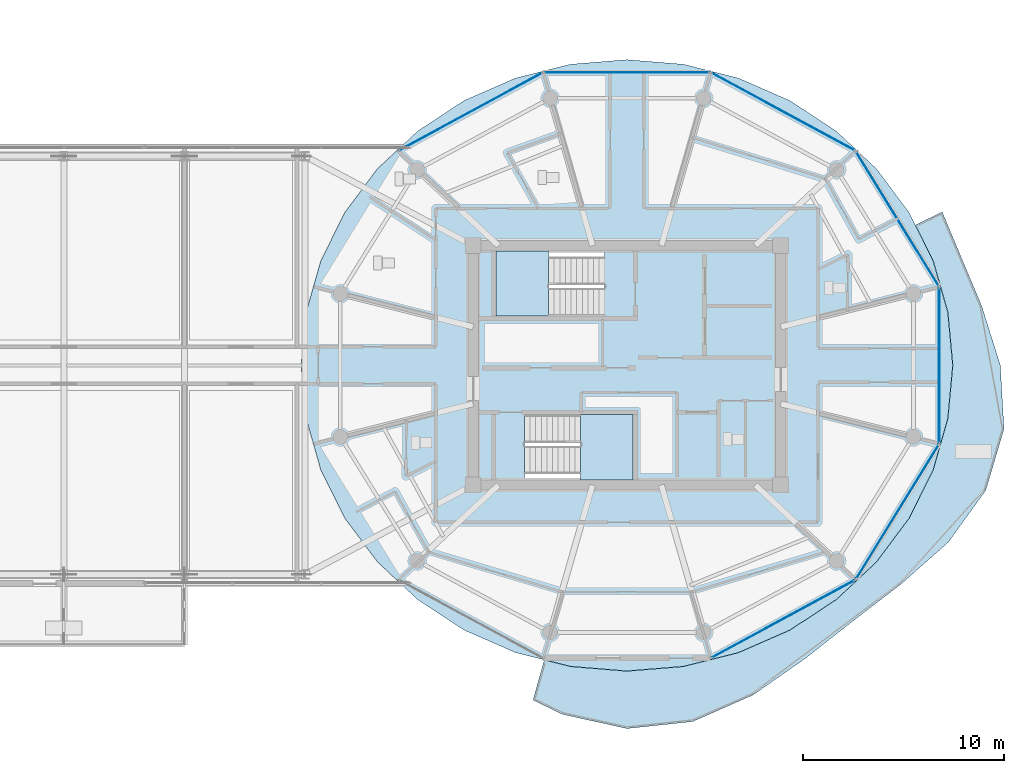
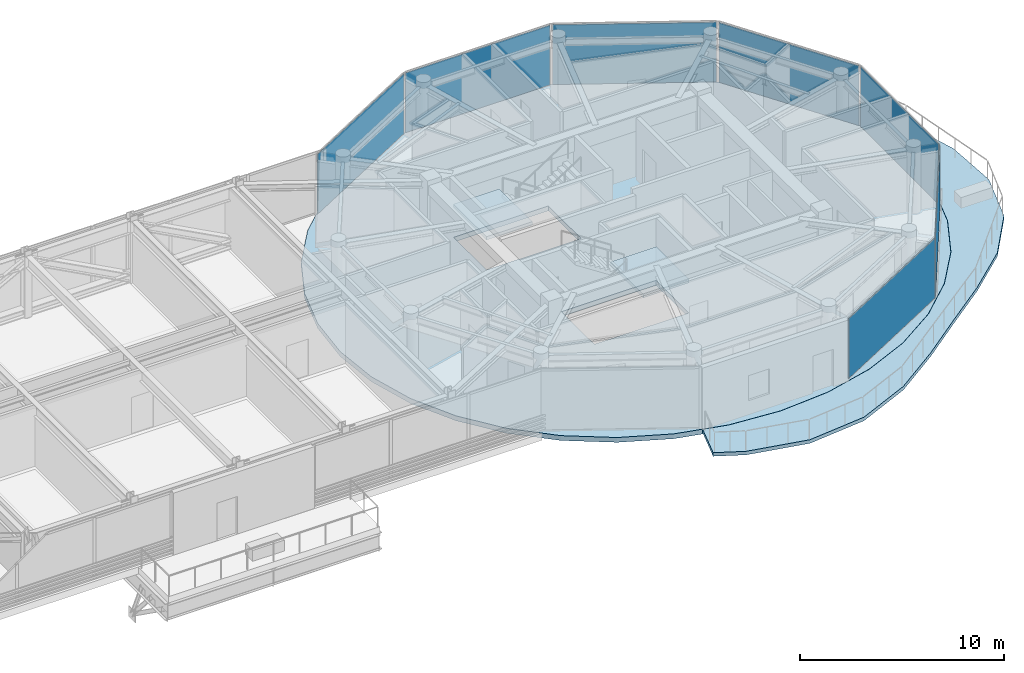
# One storey, part 12 of 31: 7 plates, 4 slabs, 9 elements without a shape of their own.
"""IFC4 building model written with IfcOpenShell, lengths in metres."""

from ifc_helpers import new_model, si_unit, direction, frame, origin, origin_2d, place, context, subcontext, project, spatial, polyline, rectangle, outline, extrude, source, transform, mapped, material, layer, layer_set, type_object, type_shapes, element, aggregate, save


model = new_model("IFC4")

# Units and contexts
model_context = context("Model", 3, precision=1e-05, world=origin(), true_north=direction((0.0, 1.0)))
body_context = subcontext(model_context, "Body", "Model", "MODEL_VIEW")
ifc_project = project(units=[si_unit("LENGTHUNIT", "METRE"), si_unit("AREAUNIT", "SQUARE_METRE"), si_unit("VOLUMEUNIT", "CUBIC_METRE"), si_unit("PLANEANGLEUNIT", "RADIAN"), si_unit("MASSUNIT", "GRAM", prefix="KILO")], contexts=[model_context])

# Site, building, storey
site_placement = place(None, origin())
site = spatial("IfcSite", under=ifc_project, at=site_placement, CompositionType="ELEMENT")
building_placement = place(site_placement, origin())
building = spatial("IfcBuilding", under=site, at=building_placement, Name="Norrkilde Senior Care Towers", CompositionType="ELEMENT")
storey_placement = place(building_placement, frame((0.0, 0.0, 199.800048828125)))
storey = spatial("IfcBuildingStorey", under=building, at=storey_placement, Name="L62", CompositionType="ELEMENT", Elevation=199.800048828125)

# Slabs
ifc_material_1 = material(Name="Concrete C50/60", Category="concrete")
ifc_layer_1 = layer(ifc_material_1, 0.2900390625)
ifc_layer_set_1 = layer_set([ifc_layer_1], Name="Concrete C50/60")
slab_type_1 = type_object("IfcSlabType", Name="Bridge Floor Slab 290", PredefinedType="FLOOR", material=ifc_layer_set_1)
slab_1_placement = place(storey_placement, frame((0.0, 0.0, -0.2900390625)))
element("IfcSlab", 1, at=slab_1_placement, inside=storey, type_object=slab_type_1, Name="L62 Drum E Structural Floor Slab", PredefinedType="FLOOR", context=body_context, shape_type="SweptSolid", body=[
    extrude(outline(polyline([(43.222900390625, -5.19873046875), (42.029541015625, -7.60009765625), (40.409912109375, -9.770263671875), (38.4130859375, -11.643798828125), (36.10009765625, -13.16357421875), (33.540771484375, -14.283447265625), (30.81298828125, -14.968994140625), (28.0, -15.199951171875), (25.18701171875, -14.968994140625), (22.459228515625, -14.283447265625), (19.89990234375, -13.16357421875), (17.5869140625, -11.643798828125), (15.590087890625, -9.770263671875), (13.970458984375, -7.60009765625), (12.777099609375, -5.19873046875), (12.046142578125, -2.639404296875), (11.800048828125, 0.0), (12.046142578125, 2.639404296875), (12.777099609375, 5.19873046875), (13.970458984375, 7.60009765625), (15.590087890625, 9.770263671875), (17.5869140625, 11.643798828125), (19.89990234375, 13.16357421875), (22.459228515625, 14.283447265625), (25.18701171875, 14.968994140625), (28.0, 15.199951171875), (30.81298828125, 14.968994140625), (33.540771484375, 14.283447265625), (36.10009765625, 13.16357421875), (38.4130859375, 11.643798828125), (40.409912109375, 9.770263671875), (42.029541015625, 7.60009765625), (43.222900390625, 5.19873046875), (43.953857421875, 2.639404296875), (44.199951171875, 0.0), (43.953857421875, -2.639404296875), (43.222900390625, -5.19873046875)]), holes=[polyline([(21.51806640625, 2.468017578125), (26.882080078125, 2.468017578125), (26.882080078125, 5.68994140625), (21.51806640625, 5.68994140625), (21.51806640625, 2.468017578125)]), polyline([(28.281982421875, -5.68994140625), (28.281982421875, -2.468017578125), (22.91796875, -2.468017578125), (22.91796875, -5.68994140625), (28.281982421875, -5.68994140625)])]), origin(), (0.0, 0.0, 1.0), 0.2900390625),
])
ifc_layer_2 = layer(ifc_material_1, 0.215087890625)
ifc_layer_set_2 = layer_set([ifc_layer_2], Name="Concrete C50/60")
slab_type_2 = type_object("IfcSlabType", Name="Sinusoidal Balcony Ribbon Slab 215", PredefinedType="FLOOR", material=ifc_layer_set_2)
slab_2_placement = place(storey_placement, frame((0.0, 0.0, -0.215087890625)))
element("IfcSlab", 2, at=slab_2_placement, inside=storey, type_object=slab_type_2, Name="L62 Drum E Swirling Senior Balcony 1", PredefinedType="FLOOR", context=body_context, shape_type="SweptSolid", body=[
    extrude(outline(polyline([(41.63818359375, -10.868896484375), (39.24853515625, -12.705078125), (36.865234375, -14.576171875), (34.262451171875, -16.396484375), (31.267333984375, -17.714111328125), (28.0, -18.06201171875), (24.792724609375, -17.35205078125), (23.32958984375, -16.645263671875), (23.889892578125, -14.648193359375), (25.18603515625, -14.97412109375), (28.0, -15.205078125), (30.81396484375, -14.97412109375), (33.54248046875, -14.2880859375), (36.1025390625, -13.16796875), (38.416259765625, -11.647705078125), (40.413818359375, -9.773681640625), (42.033935546875, -7.6025390625), (43.227783203125, -5.200439453125), (43.958740234375, -2.640380859375), (44.205078125, 0.0), (43.958740234375, 2.640380859375), (43.227783203125, 5.200439453125), (42.34375, 6.979248046875), (43.677001953125, 7.628173828125), (44.48876953125, 5.689697265625), (45.638671875, 2.9560546875), (46.564453125, 0.0), (46.74853515625, -3.16455078125), (45.842041015625, -6.214599609375), (43.9765625, -8.798095703125), (41.63818359375, -10.868896484375)])), origin(), (0.0, 0.0, 1.0), 0.215087890625),
])

# Stair, slab
ifc_material_2 = material(Name="Concrete C45/55", Category="concrete")
stair_type = type_object("IfcStairType", Name="Core Protected Dogleg Stair Bridge 4000", PredefinedType="HALF_TURN_STAIR", material=ifc_material_2)
stair_1_placement = place(storey_placement, origin())
stair_1 = element("IfcStair", 3, at=stair_1_placement, inside=storey, type_object=stair_type, Name="L62 Protected Core Stair E1", PredefinedType="HALF_TURN_STAIR")
ifc_layer_3 = layer(ifc_material_2, 0.199951171875)
ifc_layer_set_3 = layer_set([ifc_layer_3], Name="Concrete C45/55")
slab_type_3 = type_object("IfcSlabType", Name="Stair Landing Slab 200", PredefinedType="LANDING", material=ifc_layer_set_3)
slab_3_placement = place(storey_placement, frame((0.0, 0.0, 1.800048828125)))
slab_3 = element("IfcSlab", 4, at=slab_3_placement, type_object=slab_type_3, Name="ST-E1 landing 1", PredefinedType="LANDING", context=body_context, shape_type="SweptSolid", body=[
    extrude(outline(polyline([(24.10009765625, 5.68994140625), (21.5, 5.68994140625), (21.5, 2.449951171875), (24.10009765625, 2.449951171875), (24.10009765625, 5.68994140625)])), origin(), (0.0, 0.0, 1.0), 0.199951171875),
])
aggregate(stair_1, [slab_3])

stair_2_placement = place(storey_placement, origin())
stair_2 = element("IfcStair", 5, at=stair_2_placement, inside=storey, type_object=stair_type, Name="L62 Protected Core Stair E2", PredefinedType="HALF_TURN_STAIR")
slab_4_placement = place(storey_placement, frame((0.0, 0.0, 1.800048828125)))
slab_4 = element("IfcSlab", 6, at=slab_4_placement, type_object=slab_type_3, Name="ST-E2 landing 1", PredefinedType="LANDING", context=body_context, shape_type="SweptSolid", body=[
    extrude(outline(polyline([(25.699951171875, -5.68994140625), (28.300048828125, -5.68994140625), (28.300048828125, -2.449951171875), (25.699951171875, -2.449951171875), (25.699951171875, -5.68994140625)])), origin(), (0.0, 0.0, 1.0), 0.199951171875),
])
aggregate(stair_2, [slab_4])

# Curtain wall, plate
ifc_material_3 = material(Name="Triple Low-E Insulated Glazing", Category="glass")
ifc_layer_4 = layer(ifc_material_3, 0.18505859375)
ifc_layer_set_4 = layer_set([ifc_layer_4], Name="Triple Low-E Insulated Glazing")
curtain_wall_type = type_object("IfcCurtainWallType", Name="CW6 Zone 4 Crown Pavilion Curtain Wall", PredefinedType="NOTDEFINED", material=ifc_layer_set_4)
curtain_wall_1_placement = place(storey_placement, origin())
curtain_wall_1 = element("IfcCurtainWall", 7, at=curtain_wall_1_placement, inside=storey, type_object=curtain_wall_type, Name="L62 Drum E Curtain Wall 01", PredefinedType="NOTDEFINED")
ifc_layer_5 = layer(ifc_material_3, 0.035888671875)
ifc_layer_set_5 = layer_set([ifc_layer_5], Name="Triple Low-E Insulated Glazing")
plate_type = type_object("IfcPlateType", Name="Triple Low-E Vision Curtain Panel 36", PredefinedType="CURTAIN_PANEL", material=ifc_layer_set_5)
shared_shape_1 = source(origin(), body_context, "Body", "SweptSolid", [
    extrude(rectangle(XDim=8.0673828125, YDim=0.035888671875, at=origin_2d()), origin(), (0.0, 0.0, 1.0), 3.590087890625),
])
plate_1_placement = place(storey_placement, frame((35.76611328125, 12.61474609375, 0.06005859375), z_axis=(0.0, 0.0, 1.0), x_axis=(0.879373455772, -0.476132676136, 0.0)))
plate_1 = element("IfcPlate", 8, at=plate_1_placement, type_object=plate_type, Name="CW-6 panel 1.1", PredefinedType="CURTAIN_PANEL", context=body_context, shape_type="MappedRepresentation", body=[
    mapped(shared_shape_1, transform((0.0, 0.0, 0.0), x_axis=(1.0, 0.0, 0.0), y_axis=(0.0, 1.0, 0.0), z_axis=(0.0, 0.0, 1.0), scale=1.0)),
])
aggregate(curtain_wall_1, [plate_1])

curtain_wall_2_placement = place(storey_placement, origin())
curtain_wall_2 = element("IfcCurtainWall", 9, at=curtain_wall_2_placement, inside=storey, type_object=curtain_wall_type, Name="L62 Drum E Curtain Wall 03", PredefinedType="NOTDEFINED")
plate_2_placement = place(storey_placement, frame((20.23388671875, 12.61474609375, 0.06005859375), z_axis=(0.0, 0.0, 1.0), x_axis=(0.879373455772, 0.476132676136, 0.0)))
plate_2 = element("IfcPlate", 10, at=plate_2_placement, type_object=plate_type, Name="CW-6 panel 1.1", PredefinedType="CURTAIN_PANEL", context=body_context, shape_type="MappedRepresentation", body=[
    mapped(shared_shape_1, transform((0.0, 0.0, 0.0), x_axis=(1.0, 0.0, 0.0), y_axis=(0.0, 1.0, 0.0), z_axis=(0.0, 0.0, 1.0), scale=1.0)),
])
aggregate(curtain_wall_2, [plate_2])

curtain_wall_3_placement = place(storey_placement, origin())
curtain_wall_3 = element("IfcCurtainWall", 11, at=curtain_wall_3_placement, inside=storey, type_object=curtain_wall_type, Name="L62 Drum E Curtain Wall 09", PredefinedType="NOTDEFINED")
plate_3_placement = place(storey_placement, frame((35.76611328125, -12.61474609375, 0.06005859375), z_axis=(0.0, 0.0, 1.0), x_axis=(-0.879373455772, -0.476132676136, 0.0)))
plate_3 = element("IfcPlate", 12, at=plate_3_placement, type_object=plate_type, Name="CW-6 panel 1.1", PredefinedType="CURTAIN_PANEL", context=body_context, shape_type="MappedRepresentation", body=[
    mapped(shared_shape_1, transform((0.0, 0.0, 0.0), x_axis=(1.0, 0.0, 0.0), y_axis=(0.0, 1.0, 0.0), z_axis=(0.0, 0.0, 1.0), scale=1.0)),
])
aggregate(curtain_wall_3, [plate_3])

curtain_wall_4_placement = place(storey_placement, origin())
curtain_wall_4 = element("IfcCurtainWall", 13, at=curtain_wall_4_placement, inside=storey, type_object=curtain_wall_type, Name="L62 Drum E Curtain Wall 02", PredefinedType="NOTDEFINED")
shared_shape_2 = source(origin(), body_context, "Body", "SweptSolid", [
    extrude(rectangle(XDim=8.193603515625, YDim=0.035888671875, at=origin_2d()), origin(), (0.0, 0.0, 1.0), 3.590087890625),
])
plate_4_placement = place(storey_placement, frame((28.0, 14.566162109375, 0.06005859375), z_axis=(0.0, 0.0, 1.0), x_axis=(1.0, 0.0, 0.0)))
plate_4 = element("IfcPlate", 14, at=plate_4_placement, type_object=plate_type, Name="CW-6 panel 1.1", PredefinedType="CURTAIN_PANEL", context=body_context, shape_type="MappedRepresentation", body=[
    mapped(shared_shape_2, transform((0.0, 0.0, 0.0), x_axis=(1.0, 0.0, 0.0), y_axis=(0.0, 1.0, 0.0), z_axis=(0.0, 0.0, 1.0), scale=1.0)),
])
aggregate(curtain_wall_4, [plate_4])

curtain_wall_5_placement = place(storey_placement, origin())
curtain_wall_5 = element("IfcCurtainWall", 15, at=curtain_wall_5_placement, inside=storey, type_object=curtain_wall_type, Name="L62 Drum E Curtain Wall 11", PredefinedType="NOTDEFINED")
shared_shape_3 = source(origin(), body_context, "Body", "SweptSolid", [
    extrude(rectangle(XDim=7.676025390625, YDim=0.035888671875, at=origin_2d()), origin(), (0.0, 0.0, 1.0), 3.590087890625),
])
plate_5_placement = place(storey_placement, frame((43.531982421875, 0.0, 0.06005859375), z_axis=(0.0, 0.0, 1.0), x_axis=(0.0, -1.0, 0.0)))
plate_5 = element("IfcPlate", 16, at=plate_5_placement, type_object=plate_type, Name="CW-6 panel 1.1", PredefinedType="CURTAIN_PANEL", context=body_context, shape_type="MappedRepresentation", body=[
    mapped(shared_shape_3, transform((0.0, 0.0, 0.0), x_axis=(1.0, 0.0, 0.0), y_axis=(0.0, 1.0, 0.0), z_axis=(0.0, 0.0, 1.0), scale=1.0)),
])
aggregate(curtain_wall_5, [plate_5])

curtain_wall_6_placement = place(storey_placement, origin())
curtain_wall_6 = element("IfcCurtainWall", 17, at=curtain_wall_6_placement, inside=storey, type_object=curtain_wall_type, Name="L62 Drum E Curtain Wall 00", PredefinedType="NOTDEFINED")
shared_shape_4 = source(origin(), body_context, "Body", "SweptSolid", [
    extrude(rectangle(XDim=7.80859375, YDim=0.035888671875, at=origin_2d()), origin(), (0.0, 0.0, 1.0), 3.590087890625),
])
type_shapes(plate_type, [shared_shape_1, shared_shape_2, shared_shape_3, shared_shape_4])
plate_6_placement = place(storey_placement, frame((41.451171875, 7.282958984375, 0.06005859375), z_axis=(0.0, 0.0, 1.0), x_axis=(0.524252726748, -0.851562727283, 0.0)))
plate_6 = element("IfcPlate", 18, at=plate_6_placement, type_object=plate_type, Name="CW-6 panel 1.1", PredefinedType="CURTAIN_PANEL", context=body_context, shape_type="MappedRepresentation", body=[
    mapped(shared_shape_4, transform((0.0, 0.0, 0.0), x_axis=(1.0, 0.0, 0.0), y_axis=(0.0, 1.0, 0.0), z_axis=(0.0, 0.0, 1.0), scale=1.0)),
])
aggregate(curtain_wall_6, [plate_6])

curtain_wall_7_placement = place(storey_placement, origin())
curtain_wall_7 = element("IfcCurtainWall", 19, at=curtain_wall_7_placement, inside=storey, type_object=curtain_wall_type, Name="L62 Drum E Curtain Wall 10", PredefinedType="NOTDEFINED")
plate_7_placement = place(storey_placement, frame((41.451171875, -7.282958984375, 0.06005859375), z_axis=(0.0, 0.0, 1.0), x_axis=(-0.524252726748, -0.851562727283, 0.0)))
plate_7 = element("IfcPlate", 20, at=plate_7_placement, type_object=plate_type, Name="CW-6 panel 1.1", PredefinedType="CURTAIN_PANEL", context=body_context, shape_type="MappedRepresentation", body=[
    mapped(shared_shape_4, transform((0.0, 0.0, 0.0), x_axis=(1.0, 0.0, 0.0), y_axis=(0.0, 1.0, 0.0), z_axis=(0.0, 0.0, 1.0), scale=1.0)),
])
aggregate(curtain_wall_7, [plate_7])

save(model, "model.ifc")
